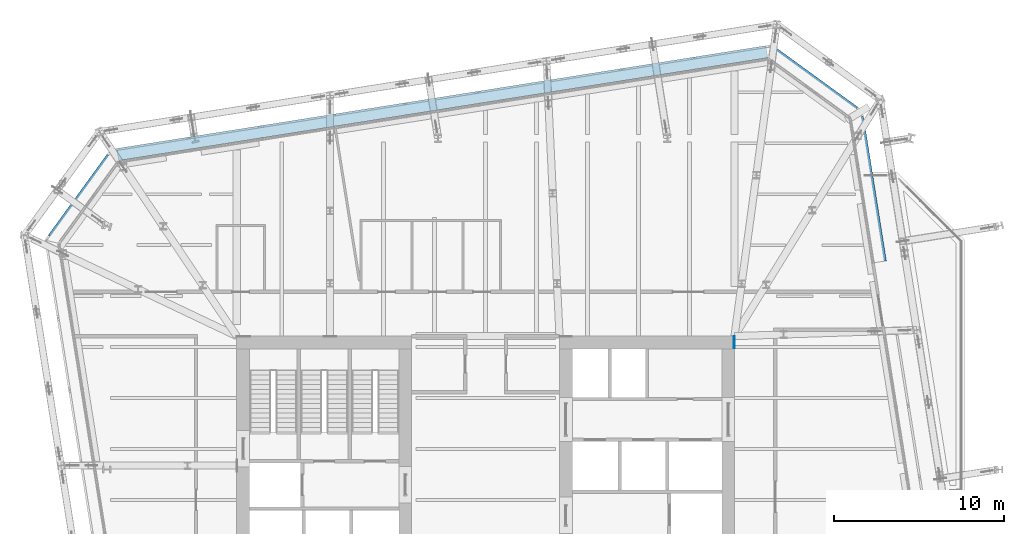
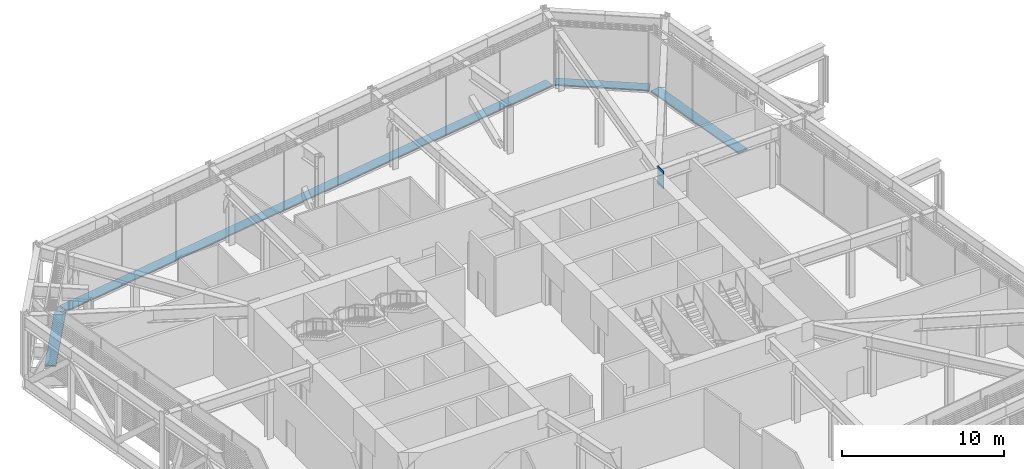
# One storey, part 24 of 32: 5 discrete accessories.
"""IFC4 building model written with IfcOpenShell, lengths in metres."""

from ifc_helpers import new_model, si_unit, direction, frame, origin, origin_2d, place, context, subcontext, project, spatial, rectangle, extrude, material, layer, layer_set, type_object, element, save


model = new_model("IFC4")

# Units and contexts
model_context = context("Model", 3, precision=1e-05, world=origin(), true_north=direction((0.0, 1.0)))
body_context = subcontext(model_context, "Body", "Model", "MODEL_VIEW")
ifc_project = project(units=[si_unit("LENGTHUNIT", "METRE"), si_unit("AREAUNIT", "SQUARE_METRE"), si_unit("VOLUMEUNIT", "CUBIC_METRE"), si_unit("PLANEANGLEUNIT", "RADIAN"), si_unit("MASSUNIT", "GRAM", prefix="KILO")], contexts=[model_context])

# Site, building, storey
site_placement = place(None, origin())
site = spatial("IfcSite", under=ifc_project, at=site_placement, CompositionType="ELEMENT")
building_placement = place(site_placement, origin())
building = spatial("IfcBuilding", under=site, at=building_placement, Name="Millrace Tower", CompositionType="ELEMENT")
storey_placement = place(building_placement, frame((0.0, 0.0, 124.89990234375)))
storey = spatial("IfcBuildingStorey", under=building, at=storey_placement, Name="L27", CompositionType="ELEMENT", Elevation=124.89990234375)

# Discrete accessories
ifc_material_1 = material(Name="Steel ASTM A572 Grade 50", Category="steel")
ifc_layer = layer(ifc_material_1, 0.0400390625)
ifc_layer_set = layer_set([ifc_layer], Name="Steel ASTM A572 Grade 50")
discrete_accessory_type_1 = type_object("IfcDiscreteAccessoryType", Name="Cast-in anchor plate 725x1360x40", PredefinedType="ANCHORPLATE", material=ifc_layer_set)
discrete_accessory_1_placement = place(storey_placement, frame((14.610107421875, 9.28759765625, 3.961181640625), z_axis=(1.0, 0.0, 0.0), x_axis=(0.0, 1.0, 0.0)))
element("IfcDiscreteAccessory", 1, at=discrete_accessory_1_placement, inside=storey, type_object=discrete_accessory_type_1, Name="Cast-in anchor plate TRS-L27-C08-T03", PredefinedType="ANCHORPLATE", context=body_context, shape_type="SweptSolid", body=[
    extrude(rectangle(XDim=0.72509765625, YDim=1.360107421875, at=origin_2d()), origin(), (0.0, 0.0, 1.0), 0.039794921875),
])
ifc_material_2 = material(Name="Stainless steel ASTM A240 type 316", Category="steel")
discrete_accessory_type_2 = type_object("IfcDiscreteAccessoryType", Name="Thermally broken screen support rail", PredefinedType="BRACKET", material=ifc_material_2)
discrete_accessory_2_placement = place(storey_placement, frame((22.56005859375, 18.270751953125, 0.0), z_axis=(0.0, 0.0, 1.0), x_axis=(-0.15643447328, 0.98768833929, 0.0)))
element("IfcDiscreteAccessory", 2, at=discrete_accessory_2_placement, inside=storey, type_object=discrete_accessory_type_2, Name="Thermally broken screen support rail C-F04 L27 2", PredefinedType="BRACKET", context=body_context, shape_type="SweptSolid", body=[
    extrude(rectangle(XDim=8.60009765625, YDim=0.719970703125, at=origin_2d()), origin(), (0.0, 0.0, 1.0), 0.10009765625),
])
discrete_accessory_3_placement = place(storey_placement, frame((19.309326171875, 24.575439453125, 0.0), z_axis=(0.0, 0.0, 1.0), x_axis=(-0.809016981623, 0.587785269844, 0.0)))
element("IfcDiscreteAccessory", 3, at=discrete_accessory_3_placement, inside=storey, type_object=discrete_accessory_type_2, Name="Thermally broken screen support rail C-F05 L27 1", PredefinedType="BRACKET", context=body_context, shape_type="SweptSolid", body=[
    extrude(rectangle(XDim=5.868896484375, YDim=0.719970703125, at=origin_2d()), origin(), (0.0, 0.0, 1.0), 0.10009765625),
])
discrete_accessory_4_placement = place(storey_placement, frame((-2.555908203125, 23.364501953125, 0.0), z_axis=(0.0, 0.0, 1.0), x_axis=(-0.98768833929, -0.15643447328, 0.0)))
element("IfcDiscreteAccessory", 4, at=discrete_accessory_4_placement, inside=storey, type_object=discrete_accessory_type_2, Name="Thermally broken screen support rail C-F06 L27 1", PredefinedType="BRACKET", context=body_context, shape_type="SweptSolid", body=[
    extrude(rectangle(XDim=38.699951171875, YDim=0.719970703125, at=origin_2d()), origin(), (0.0, 0.0, 1.0), 0.10009765625),
])
discrete_accessory_5_placement = place(storey_placement, frame((-23.725341796875, 17.75927734375, 0.0), z_axis=(0.0, 0.0, 1.0), x_axis=(-0.587785269844, -0.809016981623, 0.0)))
element("IfcDiscreteAccessory", 5, at=discrete_accessory_5_placement, inside=storey, type_object=discrete_accessory_type_2, Name="Thermally broken screen support rail C-F07 L27 1", PredefinedType="BRACKET", context=body_context, shape_type="SweptSolid", body=[
    extrude(rectangle(XDim=5.868896484375, YDim=0.719970703125, at=origin_2d()), origin(), (0.0, 0.0, 1.0), 0.10009765625),
])

save(model, "model.ifc")
